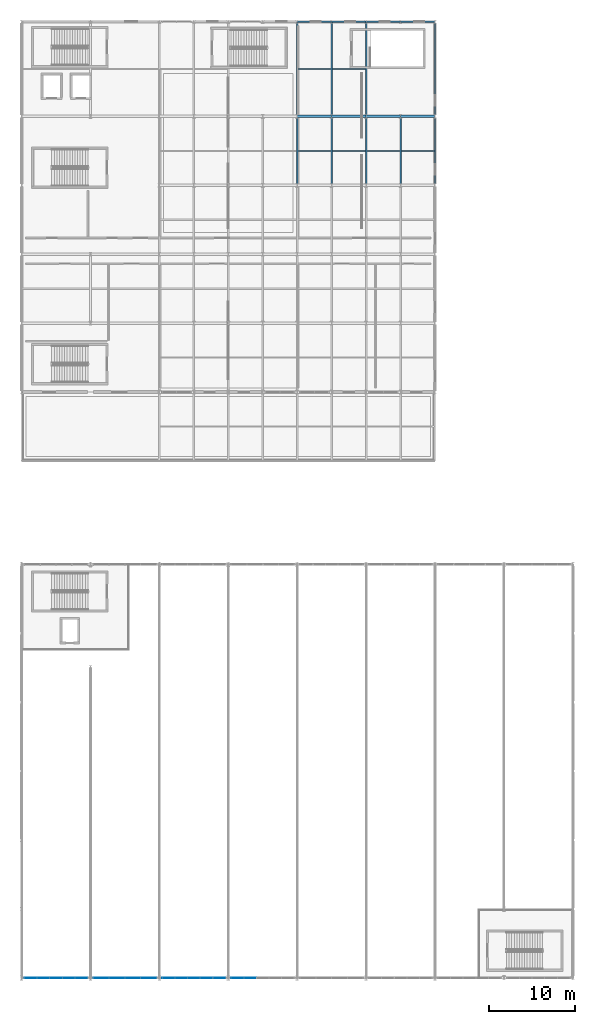
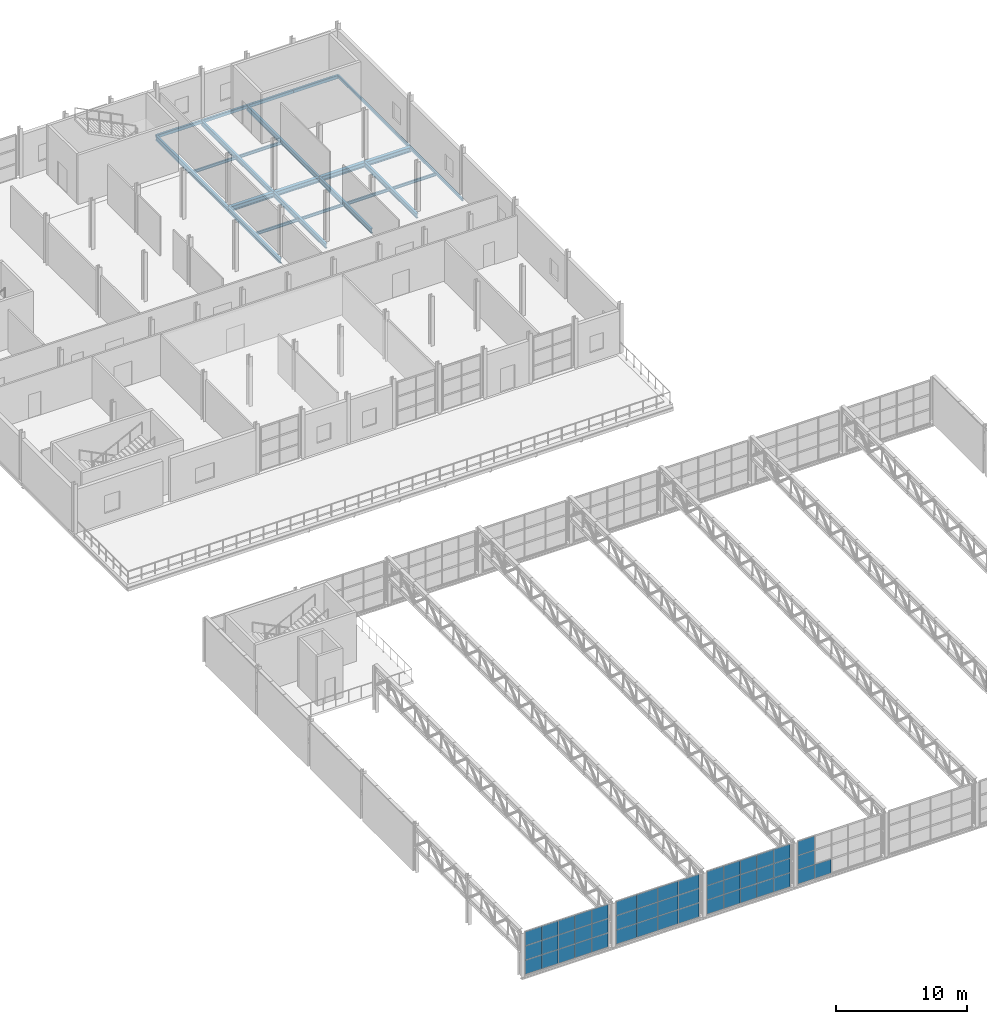
# One storey, part 53 of 67: 46 plates, 23 beams, 4 elements without a shape of their own.
"""IFC4 building model written with IfcOpenShell, lengths in metres."""

from ifc_helpers import new_model, si_unit, derived_unit, direction, frame, origin, origin_2d, place, context, subcontext, project, spatial, rectangle, hollow_rectangle, i_section, extrude, material, layer, layer_set, material_profile, profile_set, type_object, element, aggregate, save


model = new_model("IFC4")

# Units and contexts
model_context = context("Model", 3, precision=1e-05, world=origin(), true_north=direction((0.0, 1.0)))
body_context = subcontext(model_context, "Body", "Model", "MODEL_VIEW")
ifc_project = project(units=[si_unit("LENGTHUNIT", "METRE"), si_unit("AREAUNIT", "SQUARE_METRE"), si_unit("VOLUMEUNIT", "CUBIC_METRE"), si_unit("PLANEANGLEUNIT", "RADIAN"), si_unit("MASSUNIT", "GRAM", prefix="KILO"), derived_unit("THERMALTRANSMITTANCEUNIT", [(si_unit("POWERUNIT", "WATT"), 1), (si_unit("LENGTHUNIT", "METRE"), -2), (si_unit("THERMODYNAMICTEMPERATUREUNIT", "KELVIN"), -1)])], contexts=[model_context])

# Site, building, storey
site_placement = place(None, origin())
site = spatial("IfcSite", under=ifc_project, at=site_placement, CompositionType="ELEMENT")
building_placement = place(site_placement, origin())
building = spatial("IfcBuilding", under=site, at=building_placement, Name="Keldorne Ridge Multi-Sports Centre", CompositionType="ELEMENT")
storey_placement = place(building_placement, frame((0.0, 0.0, 14.0)))
storey = spatial("IfcBuildingStorey", under=building, at=storey_placement, Name="L03", CompositionType="ELEMENT", Elevation=14.0)

# Beams
ifc_material_1 = material(Name="Steel S355", Category="steel")
ifc_material_profile_1 = material_profile(ifc_material_1, i_section(OverallWidth=0.18994140625, OverallDepth=0.449951171875, WebThickness=0.009521484375, FlangeThickness=0.0146484375, FilletRadius=0.02099609375, at=origin_2d()), Name="IPE 450")
ifc_profile_set_1 = profile_set([ifc_material_profile_1], Name="Steel S355")
beam_type_1 = type_object("IfcBeamType", Name="BM-B-03", PredefinedType="BEAM", material=ifc_profile_set_1)
beam_1_placement = place(storey_placement, frame((136.0, 98.0, -0.52490234375), z_axis=(0.0, 1.0, 0.0), x_axis=(-1.0, 0.0, 0.0)))
element("IfcBeam", 1, at=beam_1_placement, inside=storey, type_object=beam_type_1, Name="L03 primary girder 136.5", PredefinedType="BEAM", context=body_context, shape_type="SweptSolid", body=[
    extrude(i_section(OverallWidth=0.18994140625, OverallDepth=0.449951171875, WebThickness=0.009521484375, FlangeThickness=0.0146484375, FilletRadius=0.02099609375, at=origin_2d()), origin(), (0.0, 0.0, 1.0), 8.0),
])
beam_2_placement = place(storey_placement, frame((136.0, 106.0, -0.52490234375), z_axis=(0.0, 1.0, 0.0), x_axis=(-1.0, 0.0, 0.0)))
element("IfcBeam", 2, at=beam_2_placement, inside=storey, type_object=beam_type_1, Name="L03 primary girder 136.6", PredefinedType="BEAM", context=body_context, shape_type="SweptSolid", body=[
    extrude(i_section(OverallWidth=0.18994140625, OverallDepth=0.449951171875, WebThickness=0.009521484375, FlangeThickness=0.0146484375, FilletRadius=0.02099609375, at=origin_2d()), origin(), (0.0, 0.0, 1.0), 11.0),
])
beam_3_placement = place(storey_placement, frame((140.0, 98.0, -0.52490234375), z_axis=(0.0, 1.0, 0.0), x_axis=(-1.0, 0.0, 0.0)))
element("IfcBeam", 3, at=beam_3_placement, inside=storey, type_object=beam_type_1, Name="L03 primary girder 140.5", PredefinedType="BEAM", context=body_context, shape_type="SweptSolid", body=[
    extrude(i_section(OverallWidth=0.18994140625, OverallDepth=0.449951171875, WebThickness=0.009521484375, FlangeThickness=0.0146484375, FilletRadius=0.02099609375, at=origin_2d()), origin(), (0.0, 0.0, 1.0), 8.0),
])
beam_4_placement = place(storey_placement, frame((140.0, 106.0, -0.52490234375), z_axis=(0.0, 1.0, 0.0), x_axis=(-1.0, 0.0, 0.0)))
element("IfcBeam", 4, at=beam_4_placement, inside=storey, type_object=beam_type_1, Name="L03 primary girder 140.6", PredefinedType="BEAM", context=body_context, shape_type="SweptSolid", body=[
    extrude(i_section(OverallWidth=0.18994140625, OverallDepth=0.449951171875, WebThickness=0.009521484375, FlangeThickness=0.0146484375, FilletRadius=0.02099609375, at=origin_2d()), origin(), (0.0, 0.0, 1.0), 11.0),
])
beam_5_placement = place(storey_placement, frame((144.0, 98.0, -0.52490234375), z_axis=(0.0, 1.0, 0.0), x_axis=(-1.0, 0.0, 0.0)))
element("IfcBeam", 5, at=beam_5_placement, inside=storey, type_object=beam_type_1, Name="L03 primary girder 144.5", PredefinedType="BEAM", context=body_context, shape_type="SweptSolid", body=[
    extrude(i_section(OverallWidth=0.18994140625, OverallDepth=0.449951171875, WebThickness=0.009521484375, FlangeThickness=0.0146484375, FilletRadius=0.02099609375, at=origin_2d()), origin(), (0.0, 0.0, 1.0), 8.0),
])
beam_6_placement = place(storey_placement, frame((144.0, 106.0, -0.52490234375), z_axis=(0.0, 1.0, 0.0), x_axis=(-1.0, 0.0, 0.0)))
element("IfcBeam", 6, at=beam_6_placement, inside=storey, type_object=beam_type_1, Name="L03 primary girder 144.6", PredefinedType="BEAM", context=body_context, shape_type="SweptSolid", body=[
    extrude(i_section(OverallWidth=0.18994140625, OverallDepth=0.449951171875, WebThickness=0.009521484375, FlangeThickness=0.0146484375, FilletRadius=0.02099609375, at=origin_2d()), origin(), (0.0, 0.0, 1.0), 11.0),
])
beam_7_placement = place(storey_placement, frame((148.0, 98.0, -0.52490234375), z_axis=(0.0, 1.0, 0.0), x_axis=(-1.0, 0.0, 0.0)))
element("IfcBeam", 7, at=beam_7_placement, inside=storey, type_object=beam_type_1, Name="L03 primary girder 148.5", PredefinedType="BEAM", context=body_context, shape_type="SweptSolid", body=[
    extrude(i_section(OverallWidth=0.18994140625, OverallDepth=0.449951171875, WebThickness=0.009521484375, FlangeThickness=0.0146484375, FilletRadius=0.02099609375, at=origin_2d()), origin(), (0.0, 0.0, 1.0), 8.0),
])
ifc_material_profile_2 = material_profile(ifc_material_1, i_section(OverallWidth=0.300048828125, OverallDepth=0.43994140625, WebThickness=0.011474609375, FlangeThickness=0.02099609375, FilletRadius=0.027099609375, at=origin_2d()), Name="HEA 450")
ifc_profile_set_2 = profile_set([ifc_material_profile_2], Name="Steel S355")
beam_type_2 = type_object("IfcBeamType", Name="BM-B-09", PredefinedType="BEAM", material=ifc_profile_set_2)
for number, where, z_axis, x_axis, name in (
    (8, (136.0, 106.0, -0.52001953125), (1.0, 0.0, 0.0), (0.0, 1.0, 0.0), "L03 primary beam 7.106"),
    (9, (140.0, 106.0, -0.52001953125), (1.0, 0.0, 0.0), (0.0, 1.0, 0.0), "L03 primary beam 8.106"),
    (10, (144.0, 106.0, -0.52001953125), (1.0, 0.0, 0.0), (0.0, 1.0, 0.0), "L03 primary beam 9.106"),
    (11, (148.0, 106.0, -0.52001953125), (1.0, 0.0, 0.0), (0.0, 1.0, 0.0), "L03 primary beam 10.106"),
):
    element("IfcBeam", number, at=place(storey_placement, frame(where, z_axis=z_axis, x_axis=x_axis)), inside=storey, type_object=beam_type_2, Name=name, PredefinedType="BEAM", context=body_context, shape_type="SweptSolid", body=[
        extrude(i_section(OverallWidth=0.300048828125, OverallDepth=0.43994140625, WebThickness=0.011474609375, FlangeThickness=0.02099609375, FilletRadius=0.027099609375, at=origin_2d()), origin(), (0.0, 0.0, 1.0), 4.0),
    ])
ifc_material_profile_3 = material_profile(ifc_material_1, i_section(OverallWidth=0.135009765625, OverallDepth=0.27001953125, WebThickness=0.006591796875, FlangeThickness=0.01025390625, FilletRadius=0.014892578125, at=origin_2d()), Name="IPE 270")
ifc_profile_set_3 = profile_set([ifc_material_profile_3], Name="Steel S355")
beam_type_3 = type_object("IfcBeamType", Name="BM-J-03", PredefinedType="JOIST", material=ifc_profile_set_3)
for number, where, z_axis, x_axis, name in (
    (12, (136.094970703125, 102.0, -0.43505859375), (1.0, 0.0, 0.0), (0.0, 1.0, 0.0), "L03 secondary joist 7.5"),
    (13, (136.094970703125, 111.5, -0.43505859375), (1.0, 0.0, 0.0), (0.0, 1.0, 0.0), "L03 secondary joist 7.6"),
    (14, (140.094970703125, 102.0, -0.43505859375), (1.0, 0.0, 0.0), (0.0, 1.0, 0.0), "L03 secondary joist 8.5"),
    (15, (140.094970703125, 111.5, -0.43505859375), (1.0, 0.0, 0.0), (0.0, 1.0, 0.0), "L03 secondary joist 8.6"),
    (16, (144.094970703125, 102.0, -0.43505859375), (1.0, 0.0, 0.0), (0.0, 1.0, 0.0), "L03 secondary joist 9.5"),
):
    element("IfcBeam", number, at=place(storey_placement, frame(where, z_axis=z_axis, x_axis=x_axis)), inside=storey, type_object=beam_type_3, Name=name, PredefinedType="JOIST", context=body_context, shape_type="SweptSolid", body=[
        extrude(i_section(OverallWidth=0.135009765625, OverallDepth=0.27001953125, WebThickness=0.006591796875, FlangeThickness=0.01025390625, FilletRadius=0.014892578125, at=origin_2d()), origin(), (0.0, 0.0, 1.0), 3.81005859375),
    ])
beam_8_placement = place(storey_placement, frame((148.094970703125, 102.0, -0.43505859375), z_axis=(1.0, 0.0, 0.0), x_axis=(0.0, 1.0, 0.0)))
element("IfcBeam", 17, at=beam_8_placement, inside=storey, type_object=beam_type_3, Name="L03 secondary joist 10.5", PredefinedType="JOIST", context=body_context, shape_type="SweptSolid", body=[
    extrude(i_section(OverallWidth=0.135009765625, OverallDepth=0.27001953125, WebThickness=0.006591796875, FlangeThickness=0.01025390625, FilletRadius=0.014892578125, at=origin_2d()), origin(), (0.0, 0.0, 1.0), 3.830078125),
])
ifc_material_profile_4 = material_profile(ifc_material_1, hollow_rectangle(XDim=0.199951171875, YDim=0.300048828125, WallThickness=0.012451171875, InnerFilletRadius=0.012451171875, OuterFilletRadius=0.02490234375, at=origin_2d()), Name="RHS 300x200x12.5")
ifc_profile_set_4 = profile_set([ifc_material_profile_4], Name="Steel S355")
beam_type_4 = type_object("IfcBeamType", Name="BM-SP-01", PredefinedType="SPANDREL", material=ifc_profile_set_4)
for number, where, z_axis, x_axis, name in (
    (18, (136.0, 117.0, -0.449951171875), (1.0, 0.0, 0.0), (0.0, 1.0, 0.0), "L03 primary beam 7.117"),
    (19, (140.0, 117.0, -0.449951171875), (1.0, 0.0, 0.0), (0.0, 1.0, 0.0), "L03 primary beam 8.117"),
    (20, (144.0, 117.0, -0.449951171875), (1.0, 0.0, 0.0), (0.0, 1.0, 0.0), "L03 primary beam 9.117"),
    (21, (148.0, 117.0, -0.449951171875), (1.0, 0.0, 0.0), (0.0, 1.0, 0.0), "L03 primary beam 10.117"),
):
    element("IfcBeam", number, at=place(storey_placement, frame(where, z_axis=z_axis, x_axis=x_axis)), inside=storey, type_object=beam_type_4, Name=name, PredefinedType="SPANDREL", context=body_context, shape_type="SweptSolid", body=[
        extrude(hollow_rectangle(XDim=0.199951171875, YDim=0.300048828125, WallThickness=0.012451171875, InnerFilletRadius=0.012451171875, OuterFilletRadius=0.02490234375, at=origin_2d()), origin(), (0.0, 0.0, 1.0), 4.0),
    ])
ifc_material_profile_5 = material_profile(ifc_material_1, hollow_rectangle(XDim=0.14990234375, YDim=0.25, WallThickness=0.010009765625, InnerFilletRadius=0.010009765625, OuterFilletRadius=0.02001953125, at=origin_2d()), Name="RHS 250x150x10")
ifc_profile_set_5 = profile_set([ifc_material_profile_5], Name="Steel S355")
beam_type_5 = type_object("IfcBeamType", Name="BM-SP-02", PredefinedType="SPANDREL", material=ifc_profile_set_5)
beam_9_placement = place(storey_placement, frame((152.0, 98.0, -0.425048828125), z_axis=(0.0, 1.0, 0.0), x_axis=(-1.0, 0.0, 0.0)))
element("IfcBeam", 22, at=beam_9_placement, inside=storey, type_object=beam_type_5, Name="L03 primary girder 152.5", PredefinedType="SPANDREL", context=body_context, shape_type="SweptSolid", body=[
    extrude(hollow_rectangle(XDim=0.14990234375, YDim=0.25, WallThickness=0.010009765625, InnerFilletRadius=0.010009765625, OuterFilletRadius=0.02001953125, at=origin_2d()), origin(), (0.0, 0.0, 1.0), 8.0),
])
beam_10_placement = place(storey_placement, frame((152.0, 106.0, -0.425048828125), z_axis=(0.0, 1.0, 0.0), x_axis=(-1.0, 0.0, 0.0)))
element("IfcBeam", 23, at=beam_10_placement, inside=storey, type_object=beam_type_5, Name="L03 primary girder 152.6", PredefinedType="SPANDREL", context=body_context, shape_type="SweptSolid", body=[
    extrude(hollow_rectangle(XDim=0.14990234375, YDim=0.25, WallThickness=0.010009765625, InnerFilletRadius=0.010009765625, OuterFilletRadius=0.02001953125, at=origin_2d()), origin(), (0.0, 0.0, 1.0), 11.0),
])

# Curtain wall, plates
ifc_material_2 = material(Name="Anodized aluminium", Category="aluminium")
curtain_wall_type_1 = type_object("IfcCurtainWallType", Name="CW-CW-01", PredefinedType="NOTDEFINED", material=ifc_material_2)
curtain_wall_1_placement = place(storey_placement, origin())
curtain_wall_1 = element("IfcCurtainWall", 24, at=curtain_wall_1_placement, inside=storey, type_object=curtain_wall_type_1, Name="Upper Courts high clerestory 089", PredefinedType="NOTDEFINED")
ifc_material_3 = material(Name="Double low-e insulated glazing", Category="glass")
ifc_layer = layer(ifc_material_3, 0.035888671875)
ifc_layer_set = layer_set([ifc_layer])
plate_type = type_object("IfcPlateType", Name="PLT-GL-01", PredefinedType="CURTAIN_PANEL", material=ifc_layer_set)
plate_1_placement = place(storey_placement, frame((105.072021484375, 6.0, 0.02001953125), z_axis=(0.0, 0.0, 1.0), x_axis=(1.0, 0.0, 0.0)))
plate_1 = element("IfcPlate", 25, at=plate_1_placement, type_object=plate_type, Name="CW-089 glazed panel 1.1", PredefinedType="CURTAIN_PANEL", context=body_context, shape_type="SweptSolid", body=[
    extrude(rectangle(XDim=1.424072265625, YDim=0.035888671875, at=origin_2d()), origin(), (0.0, 0.0, 1.0), 1.293212890625),
])
plate_2_placement = place(storey_placement, frame((105.072021484375, 6.0, 1.353515625), z_axis=(0.0, 0.0, 1.0), x_axis=(1.0, 0.0, 0.0)))
plate_2 = element("IfcPlate", 26, at=plate_2_placement, type_object=plate_type, Name="CW-089 glazed panel 1.2", PredefinedType="CURTAIN_PANEL", context=body_context, shape_type="SweptSolid", body=[
    extrude(rectangle(XDim=1.424072265625, YDim=0.035888671875, at=origin_2d()), origin(), (0.0, 0.0, 1.0), 1.293212890625),
])
plate_3_placement = place(storey_placement, frame((105.072021484375, 6.0, 2.6865234375), z_axis=(0.0, 0.0, 1.0), x_axis=(1.0, 0.0, 0.0)))
plate_3 = element("IfcPlate", 27, at=plate_3_placement, type_object=plate_type, Name="CW-089 glazed panel 1.3", PredefinedType="CURTAIN_PANEL", context=body_context, shape_type="SweptSolid", body=[
    extrude(rectangle(XDim=1.424072265625, YDim=0.035888671875, at=origin_2d()), origin(), (0.0, 0.0, 1.0), 1.293212890625),
])
plate_4_placement = place(storey_placement, frame((106.535888671875, 6.0, 0.02001953125), z_axis=(0.0, 0.0, 1.0), x_axis=(1.0, 0.0, 0.0)))
plate_4 = element("IfcPlate", 28, at=plate_4_placement, type_object=plate_type, Name="CW-089 glazed panel 2.1", PredefinedType="CURTAIN_PANEL", context=body_context, shape_type="SweptSolid", body=[
    extrude(rectangle(XDim=1.424072265625, YDim=0.035888671875, at=origin_2d()), origin(), (0.0, 0.0, 1.0), 1.293212890625),
])
plate_5_placement = place(storey_placement, frame((106.535888671875, 6.0, 1.353515625), z_axis=(0.0, 0.0, 1.0), x_axis=(1.0, 0.0, 0.0)))
plate_5 = element("IfcPlate", 29, at=plate_5_placement, type_object=plate_type, Name="CW-089 glazed panel 2.2", PredefinedType="CURTAIN_PANEL", context=body_context, shape_type="SweptSolid", body=[
    extrude(rectangle(XDim=1.424072265625, YDim=0.035888671875, at=origin_2d()), origin(), (0.0, 0.0, 1.0), 1.293212890625),
])
plate_6_placement = place(storey_placement, frame((106.535888671875, 6.0, 2.6865234375), z_axis=(0.0, 0.0, 1.0), x_axis=(1.0, 0.0, 0.0)))
plate_6 = element("IfcPlate", 30, at=plate_6_placement, type_object=plate_type, Name="CW-089 glazed panel 2.3", PredefinedType="CURTAIN_PANEL", context=body_context, shape_type="SweptSolid", body=[
    extrude(rectangle(XDim=1.424072265625, YDim=0.035888671875, at=origin_2d()), origin(), (0.0, 0.0, 1.0), 1.293212890625),
])
plate_7_placement = place(storey_placement, frame((108.0, 6.0, 0.02001953125), z_axis=(0.0, 0.0, 1.0), x_axis=(1.0, 0.0, 0.0)))
plate_7 = element("IfcPlate", 31, at=plate_7_placement, type_object=plate_type, Name="CW-089 glazed panel 3.1", PredefinedType="CURTAIN_PANEL", context=body_context, shape_type="SweptSolid", body=[
    extrude(rectangle(XDim=1.424072265625, YDim=0.035888671875, at=origin_2d()), origin(), (0.0, 0.0, 1.0), 1.293212890625),
])
plate_8_placement = place(storey_placement, frame((108.0, 6.0, 1.353515625), z_axis=(0.0, 0.0, 1.0), x_axis=(1.0, 0.0, 0.0)))
plate_8 = element("IfcPlate", 32, at=plate_8_placement, type_object=plate_type, Name="CW-089 glazed panel 3.2", PredefinedType="CURTAIN_PANEL", context=body_context, shape_type="SweptSolid", body=[
    extrude(rectangle(XDim=1.424072265625, YDim=0.035888671875, at=origin_2d()), origin(), (0.0, 0.0, 1.0), 1.293212890625),
])
plate_9_placement = place(storey_placement, frame((108.0, 6.0, 2.6865234375), z_axis=(0.0, 0.0, 1.0), x_axis=(1.0, 0.0, 0.0)))
plate_9 = element("IfcPlate", 33, at=plate_9_placement, type_object=plate_type, Name="CW-089 glazed panel 3.3", PredefinedType="CURTAIN_PANEL", context=body_context, shape_type="SweptSolid", body=[
    extrude(rectangle(XDim=1.424072265625, YDim=0.035888671875, at=origin_2d()), origin(), (0.0, 0.0, 1.0), 1.293212890625),
])
plate_10_placement = place(storey_placement, frame((109.464111328125, 6.0, 0.02001953125), z_axis=(0.0, 0.0, 1.0), x_axis=(1.0, 0.0, 0.0)))
plate_10 = element("IfcPlate", 34, at=plate_10_placement, type_object=plate_type, Name="CW-089 glazed panel 4.1", PredefinedType="CURTAIN_PANEL", context=body_context, shape_type="SweptSolid", body=[
    extrude(rectangle(XDim=1.424072265625, YDim=0.035888671875, at=origin_2d()), origin(), (0.0, 0.0, 1.0), 1.293212890625),
])
plate_11_placement = place(storey_placement, frame((109.464111328125, 6.0, 1.353515625), z_axis=(0.0, 0.0, 1.0), x_axis=(1.0, 0.0, 0.0)))
plate_11 = element("IfcPlate", 35, at=plate_11_placement, type_object=plate_type, Name="CW-089 glazed panel 4.2", PredefinedType="CURTAIN_PANEL", context=body_context, shape_type="SweptSolid", body=[
    extrude(rectangle(XDim=1.424072265625, YDim=0.035888671875, at=origin_2d()), origin(), (0.0, 0.0, 1.0), 1.293212890625),
])
plate_12_placement = place(storey_placement, frame((109.464111328125, 6.0, 2.6865234375), z_axis=(0.0, 0.0, 1.0), x_axis=(1.0, 0.0, 0.0)))
plate_12 = element("IfcPlate", 36, at=plate_12_placement, type_object=plate_type, Name="CW-089 glazed panel 4.3", PredefinedType="CURTAIN_PANEL", context=body_context, shape_type="SweptSolid", body=[
    extrude(rectangle(XDim=1.424072265625, YDim=0.035888671875, at=origin_2d()), origin(), (0.0, 0.0, 1.0), 1.293212890625),
])
plate_13_placement = place(storey_placement, frame((110.927978515625, 6.0, 0.02001953125), z_axis=(0.0, 0.0, 1.0), x_axis=(1.0, 0.0, 0.0)))
plate_13 = element("IfcPlate", 37, at=plate_13_placement, type_object=plate_type, Name="CW-089 glazed panel 5.1", PredefinedType="CURTAIN_PANEL", context=body_context, shape_type="SweptSolid", body=[
    extrude(rectangle(XDim=1.424072265625, YDim=0.035888671875, at=origin_2d()), origin(), (0.0, 0.0, 1.0), 1.293212890625),
])
plate_14_placement = place(storey_placement, frame((110.927978515625, 6.0, 1.353515625), z_axis=(0.0, 0.0, 1.0), x_axis=(1.0, 0.0, 0.0)))
plate_14 = element("IfcPlate", 38, at=plate_14_placement, type_object=plate_type, Name="CW-089 glazed panel 5.2", PredefinedType="CURTAIN_PANEL", context=body_context, shape_type="SweptSolid", body=[
    extrude(rectangle(XDim=1.424072265625, YDim=0.035888671875, at=origin_2d()), origin(), (0.0, 0.0, 1.0), 1.293212890625),
])
plate_15_placement = place(storey_placement, frame((110.927978515625, 6.0, 2.6865234375), z_axis=(0.0, 0.0, 1.0), x_axis=(1.0, 0.0, 0.0)))
plate_15 = element("IfcPlate", 39, at=plate_15_placement, type_object=plate_type, Name="CW-089 glazed panel 5.3", PredefinedType="CURTAIN_PANEL", context=body_context, shape_type="SweptSolid", body=[
    extrude(rectangle(XDim=1.424072265625, YDim=0.035888671875, at=origin_2d()), origin(), (0.0, 0.0, 1.0), 1.293212890625),
])
aggregate(curtain_wall_1, [plate_1, plate_2, plate_3, plate_4, plate_5, plate_6, plate_7, plate_8, plate_9, plate_10, plate_11, plate_12, plate_13, plate_14, plate_15])

curtain_wall_type_2 = type_object("IfcCurtainWallType", Name="CW-CW-08", PredefinedType="NOTDEFINED", material=ifc_material_2)
curtain_wall_2_placement = place(storey_placement, origin())
curtain_wall_2 = element("IfcCurtainWall", 40, at=curtain_wall_2_placement, inside=storey, type_object=curtain_wall_type_2, Name="Upper Courts high clerestory 096", PredefinedType="NOTDEFINED")
plate_16_placement = place(storey_placement, frame((113.2548828125, 6.0, 0.02001953125), z_axis=(0.0, 0.0, 1.0), x_axis=(1.0, 0.0, 0.0)))
plate_16 = element("IfcPlate", 41, at=plate_16_placement, type_object=plate_type, Name="CW-096 glazed panel 1.1", PredefinedType="CURTAIN_PANEL", context=body_context, shape_type="SweptSolid", body=[
    extrude(rectangle(XDim=1.7900390625, YDim=0.035888671875, at=origin_2d()), origin(), (0.0, 0.0, 1.0), 1.293212890625),
])
plate_17_placement = place(storey_placement, frame((113.2548828125, 6.0, 1.353515625), z_axis=(0.0, 0.0, 1.0), x_axis=(1.0, 0.0, 0.0)))
plate_17 = element("IfcPlate", 42, at=plate_17_placement, type_object=plate_type, Name="CW-096 glazed panel 1.2", PredefinedType="CURTAIN_PANEL", context=body_context, shape_type="SweptSolid", body=[
    extrude(rectangle(XDim=1.7900390625, YDim=0.035888671875, at=origin_2d()), origin(), (0.0, 0.0, 1.0), 1.293212890625),
])
plate_18_placement = place(storey_placement, frame((113.2548828125, 6.0, 2.6865234375), z_axis=(0.0, 0.0, 1.0), x_axis=(1.0, 0.0, 0.0)))
plate_18 = element("IfcPlate", 43, at=plate_18_placement, type_object=plate_type, Name="CW-096 glazed panel 1.3", PredefinedType="CURTAIN_PANEL", context=body_context, shape_type="SweptSolid", body=[
    extrude(rectangle(XDim=1.7900390625, YDim=0.035888671875, at=origin_2d()), origin(), (0.0, 0.0, 1.0), 1.293212890625),
])
plate_19_placement = place(storey_placement, frame((115.0849609375, 6.0, 0.02001953125), z_axis=(0.0, 0.0, 1.0), x_axis=(1.0, 0.0, 0.0)))
plate_19 = element("IfcPlate", 44, at=plate_19_placement, type_object=plate_type, Name="CW-096 glazed panel 2.1", PredefinedType="CURTAIN_PANEL", context=body_context, shape_type="SweptSolid", body=[
    extrude(rectangle(XDim=1.7900390625, YDim=0.035888671875, at=origin_2d()), origin(), (0.0, 0.0, 1.0), 1.293212890625),
])
plate_20_placement = place(storey_placement, frame((115.0849609375, 6.0, 1.353515625), z_axis=(0.0, 0.0, 1.0), x_axis=(1.0, 0.0, 0.0)))
plate_20 = element("IfcPlate", 45, at=plate_20_placement, type_object=plate_type, Name="CW-096 glazed panel 2.2", PredefinedType="CURTAIN_PANEL", context=body_context, shape_type="SweptSolid", body=[
    extrude(rectangle(XDim=1.7900390625, YDim=0.035888671875, at=origin_2d()), origin(), (0.0, 0.0, 1.0), 1.293212890625),
])
plate_21_placement = place(storey_placement, frame((115.0849609375, 6.0, 2.6865234375), z_axis=(0.0, 0.0, 1.0), x_axis=(1.0, 0.0, 0.0)))
plate_21 = element("IfcPlate", 46, at=plate_21_placement, type_object=plate_type, Name="CW-096 glazed panel 2.3", PredefinedType="CURTAIN_PANEL", context=body_context, shape_type="SweptSolid", body=[
    extrude(rectangle(XDim=1.7900390625, YDim=0.035888671875, at=origin_2d()), origin(), (0.0, 0.0, 1.0), 1.293212890625),
])
plate_22_placement = place(storey_placement, frame((116.9150390625, 6.0, 0.02001953125), z_axis=(0.0, 0.0, 1.0), x_axis=(1.0, 0.0, 0.0)))
plate_22 = element("IfcPlate", 47, at=plate_22_placement, type_object=plate_type, Name="CW-096 glazed panel 3.1", PredefinedType="CURTAIN_PANEL", context=body_context, shape_type="SweptSolid", body=[
    extrude(rectangle(XDim=1.7900390625, YDim=0.035888671875, at=origin_2d()), origin(), (0.0, 0.0, 1.0), 1.293212890625),
])
plate_23_placement = place(storey_placement, frame((116.9150390625, 6.0, 1.353515625), z_axis=(0.0, 0.0, 1.0), x_axis=(1.0, 0.0, 0.0)))
plate_23 = element("IfcPlate", 48, at=plate_23_placement, type_object=plate_type, Name="CW-096 glazed panel 3.2", PredefinedType="CURTAIN_PANEL", context=body_context, shape_type="SweptSolid", body=[
    extrude(rectangle(XDim=1.7900390625, YDim=0.035888671875, at=origin_2d()), origin(), (0.0, 0.0, 1.0), 1.293212890625),
])
plate_24_placement = place(storey_placement, frame((116.9150390625, 6.0, 2.6865234375), z_axis=(0.0, 0.0, 1.0), x_axis=(1.0, 0.0, 0.0)))
plate_24 = element("IfcPlate", 49, at=plate_24_placement, type_object=plate_type, Name="CW-096 glazed panel 3.3", PredefinedType="CURTAIN_PANEL", context=body_context, shape_type="SweptSolid", body=[
    extrude(rectangle(XDim=1.7900390625, YDim=0.035888671875, at=origin_2d()), origin(), (0.0, 0.0, 1.0), 1.293212890625),
])
plate_25_placement = place(storey_placement, frame((118.7451171875, 6.0, 0.02001953125), z_axis=(0.0, 0.0, 1.0), x_axis=(1.0, 0.0, 0.0)))
plate_25 = element("IfcPlate", 50, at=plate_25_placement, type_object=plate_type, Name="CW-096 glazed panel 4.1", PredefinedType="CURTAIN_PANEL", context=body_context, shape_type="SweptSolid", body=[
    extrude(rectangle(XDim=1.7900390625, YDim=0.035888671875, at=origin_2d()), origin(), (0.0, 0.0, 1.0), 1.293212890625),
])
plate_26_placement = place(storey_placement, frame((118.7451171875, 6.0, 1.353515625), z_axis=(0.0, 0.0, 1.0), x_axis=(1.0, 0.0, 0.0)))
plate_26 = element("IfcPlate", 51, at=plate_26_placement, type_object=plate_type, Name="CW-096 glazed panel 4.2", PredefinedType="CURTAIN_PANEL", context=body_context, shape_type="SweptSolid", body=[
    extrude(rectangle(XDim=1.7900390625, YDim=0.035888671875, at=origin_2d()), origin(), (0.0, 0.0, 1.0), 1.293212890625),
])
plate_27_placement = place(storey_placement, frame((118.7451171875, 6.0, 2.6865234375), z_axis=(0.0, 0.0, 1.0), x_axis=(1.0, 0.0, 0.0)))
plate_27 = element("IfcPlate", 52, at=plate_27_placement, type_object=plate_type, Name="CW-096 glazed panel 4.3", PredefinedType="CURTAIN_PANEL", context=body_context, shape_type="SweptSolid", body=[
    extrude(rectangle(XDim=1.7900390625, YDim=0.035888671875, at=origin_2d()), origin(), (0.0, 0.0, 1.0), 1.293212890625),
])
aggregate(curtain_wall_2, [plate_16, plate_17, plate_18, plate_19, plate_20, plate_21, plate_22, plate_23, plate_24, plate_25, plate_26, plate_27])

curtain_wall_type_3 = type_object("IfcCurtainWallType", Name="CW-CW-06", PredefinedType="NOTDEFINED", material=ifc_material_2)
curtain_wall_3_placement = place(storey_placement, origin())
curtain_wall_3 = element("IfcCurtainWall", 53, at=curtain_wall_3_placement, inside=storey, type_object=curtain_wall_type_3, Name="Upper Courts high clerestory 102", PredefinedType="NOTDEFINED")
plate_28_placement = place(storey_placement, frame((121.072021484375, 6.0, 0.02001953125), z_axis=(0.0, 0.0, 1.0), x_axis=(1.0, 0.0, 0.0)))
plate_28 = element("IfcPlate", 54, at=plate_28_placement, type_object=plate_type, Name="CW-102 glazed panel 1.1", PredefinedType="CURTAIN_PANEL", context=body_context, shape_type="SweptSolid", body=[
    extrude(rectangle(XDim=1.424072265625, YDim=0.035888671875, at=origin_2d()), origin(), (0.0, 0.0, 1.0), 1.293212890625),
])
plate_29_placement = place(storey_placement, frame((121.072021484375, 6.0, 1.353515625), z_axis=(0.0, 0.0, 1.0), x_axis=(1.0, 0.0, 0.0)))
plate_29 = element("IfcPlate", 55, at=plate_29_placement, type_object=plate_type, Name="CW-102 glazed panel 1.2", PredefinedType="CURTAIN_PANEL", context=body_context, shape_type="SweptSolid", body=[
    extrude(rectangle(XDim=1.424072265625, YDim=0.035888671875, at=origin_2d()), origin(), (0.0, 0.0, 1.0), 1.293212890625),
])
plate_30_placement = place(storey_placement, frame((121.072021484375, 6.0, 2.6865234375), z_axis=(0.0, 0.0, 1.0), x_axis=(1.0, 0.0, 0.0)))
plate_30 = element("IfcPlate", 56, at=plate_30_placement, type_object=plate_type, Name="CW-102 glazed panel 1.3", PredefinedType="CURTAIN_PANEL", context=body_context, shape_type="SweptSolid", body=[
    extrude(rectangle(XDim=1.424072265625, YDim=0.035888671875, at=origin_2d()), origin(), (0.0, 0.0, 1.0), 1.293212890625),
])
plate_31_placement = place(storey_placement, frame((122.535888671875, 6.0, 0.02001953125), z_axis=(0.0, 0.0, 1.0), x_axis=(1.0, 0.0, 0.0)))
plate_31 = element("IfcPlate", 57, at=plate_31_placement, type_object=plate_type, Name="CW-102 glazed panel 2.1", PredefinedType="CURTAIN_PANEL", context=body_context, shape_type="SweptSolid", body=[
    extrude(rectangle(XDim=1.424072265625, YDim=0.035888671875, at=origin_2d()), origin(), (0.0, 0.0, 1.0), 1.293212890625),
])
plate_32_placement = place(storey_placement, frame((122.535888671875, 6.0, 1.353515625), z_axis=(0.0, 0.0, 1.0), x_axis=(1.0, 0.0, 0.0)))
plate_32 = element("IfcPlate", 58, at=plate_32_placement, type_object=plate_type, Name="CW-102 glazed panel 2.2", PredefinedType="CURTAIN_PANEL", context=body_context, shape_type="SweptSolid", body=[
    extrude(rectangle(XDim=1.424072265625, YDim=0.035888671875, at=origin_2d()), origin(), (0.0, 0.0, 1.0), 1.293212890625),
])
plate_33_placement = place(storey_placement, frame((122.535888671875, 6.0, 2.6865234375), z_axis=(0.0, 0.0, 1.0), x_axis=(1.0, 0.0, 0.0)))
plate_33 = element("IfcPlate", 59, at=plate_33_placement, type_object=plate_type, Name="CW-102 glazed panel 2.3", PredefinedType="CURTAIN_PANEL", context=body_context, shape_type="SweptSolid", body=[
    extrude(rectangle(XDim=1.424072265625, YDim=0.035888671875, at=origin_2d()), origin(), (0.0, 0.0, 1.0), 1.293212890625),
])
plate_34_placement = place(storey_placement, frame((124.0, 6.0, 0.02001953125), z_axis=(0.0, 0.0, 1.0), x_axis=(1.0, 0.0, 0.0)))
plate_34 = element("IfcPlate", 60, at=plate_34_placement, type_object=plate_type, Name="CW-102 glazed panel 3.1", PredefinedType="CURTAIN_PANEL", context=body_context, shape_type="SweptSolid", body=[
    extrude(rectangle(XDim=1.424072265625, YDim=0.035888671875, at=origin_2d()), origin(), (0.0, 0.0, 1.0), 1.293212890625),
])
plate_35_placement = place(storey_placement, frame((124.0, 6.0, 1.353515625), z_axis=(0.0, 0.0, 1.0), x_axis=(1.0, 0.0, 0.0)))
plate_35 = element("IfcPlate", 61, at=plate_35_placement, type_object=plate_type, Name="CW-102 glazed panel 3.2", PredefinedType="CURTAIN_PANEL", context=body_context, shape_type="SweptSolid", body=[
    extrude(rectangle(XDim=1.424072265625, YDim=0.035888671875, at=origin_2d()), origin(), (0.0, 0.0, 1.0), 1.293212890625),
])
plate_36_placement = place(storey_placement, frame((124.0, 6.0, 2.6865234375), z_axis=(0.0, 0.0, 1.0), x_axis=(1.0, 0.0, 0.0)))
plate_36 = element("IfcPlate", 62, at=plate_36_placement, type_object=plate_type, Name="CW-102 glazed panel 3.3", PredefinedType="CURTAIN_PANEL", context=body_context, shape_type="SweptSolid", body=[
    extrude(rectangle(XDim=1.424072265625, YDim=0.035888671875, at=origin_2d()), origin(), (0.0, 0.0, 1.0), 1.293212890625),
])
plate_37_placement = place(storey_placement, frame((125.464111328125, 6.0, 0.02001953125), z_axis=(0.0, 0.0, 1.0), x_axis=(1.0, 0.0, 0.0)))
plate_37 = element("IfcPlate", 63, at=plate_37_placement, type_object=plate_type, Name="CW-102 glazed panel 4.1", PredefinedType="CURTAIN_PANEL", context=body_context, shape_type="SweptSolid", body=[
    extrude(rectangle(XDim=1.424072265625, YDim=0.035888671875, at=origin_2d()), origin(), (0.0, 0.0, 1.0), 1.293212890625),
])
plate_38_placement = place(storey_placement, frame((125.464111328125, 6.0, 1.353515625), z_axis=(0.0, 0.0, 1.0), x_axis=(1.0, 0.0, 0.0)))
plate_38 = element("IfcPlate", 64, at=plate_38_placement, type_object=plate_type, Name="CW-102 glazed panel 4.2", PredefinedType="CURTAIN_PANEL", context=body_context, shape_type="SweptSolid", body=[
    extrude(rectangle(XDim=1.424072265625, YDim=0.035888671875, at=origin_2d()), origin(), (0.0, 0.0, 1.0), 1.293212890625),
])
plate_39_placement = place(storey_placement, frame((125.464111328125, 6.0, 2.6865234375), z_axis=(0.0, 0.0, 1.0), x_axis=(1.0, 0.0, 0.0)))
plate_39 = element("IfcPlate", 65, at=plate_39_placement, type_object=plate_type, Name="CW-102 glazed panel 4.3", PredefinedType="CURTAIN_PANEL", context=body_context, shape_type="SweptSolid", body=[
    extrude(rectangle(XDim=1.424072265625, YDim=0.035888671875, at=origin_2d()), origin(), (0.0, 0.0, 1.0), 1.293212890625),
])
plate_40_placement = place(storey_placement, frame((126.927978515625, 6.0, 0.02001953125), z_axis=(0.0, 0.0, 1.0), x_axis=(1.0, 0.0, 0.0)))
plate_40 = element("IfcPlate", 66, at=plate_40_placement, type_object=plate_type, Name="CW-102 glazed panel 5.1", PredefinedType="CURTAIN_PANEL", context=body_context, shape_type="SweptSolid", body=[
    extrude(rectangle(XDim=1.424072265625, YDim=0.035888671875, at=origin_2d()), origin(), (0.0, 0.0, 1.0), 1.293212890625),
])
plate_41_placement = place(storey_placement, frame((126.927978515625, 6.0, 1.353515625), z_axis=(0.0, 0.0, 1.0), x_axis=(1.0, 0.0, 0.0)))
plate_41 = element("IfcPlate", 67, at=plate_41_placement, type_object=plate_type, Name="CW-102 glazed panel 5.2", PredefinedType="CURTAIN_PANEL", context=body_context, shape_type="SweptSolid", body=[
    extrude(rectangle(XDim=1.424072265625, YDim=0.035888671875, at=origin_2d()), origin(), (0.0, 0.0, 1.0), 1.293212890625),
])
plate_42_placement = place(storey_placement, frame((126.927978515625, 6.0, 2.6865234375), z_axis=(0.0, 0.0, 1.0), x_axis=(1.0, 0.0, 0.0)))
plate_42 = element("IfcPlate", 68, at=plate_42_placement, type_object=plate_type, Name="CW-102 glazed panel 5.3", PredefinedType="CURTAIN_PANEL", context=body_context, shape_type="SweptSolid", body=[
    extrude(rectangle(XDim=1.424072265625, YDim=0.035888671875, at=origin_2d()), origin(), (0.0, 0.0, 1.0), 1.293212890625),
])
aggregate(curtain_wall_3, [plate_28, plate_29, plate_30, plate_31, plate_32, plate_33, plate_34, plate_35, plate_36, plate_37, plate_38, plate_39, plate_40, plate_41, plate_42])

curtain_wall_type_4 = type_object("IfcCurtainWallType", Name="CW-CW-04", PredefinedType="NOTDEFINED", material=ifc_material_2)
curtain_wall_4_placement = place(storey_placement, origin())
curtain_wall_4 = element("IfcCurtainWall", 69, at=curtain_wall_4_placement, inside=storey, type_object=curtain_wall_type_4, Name="Upper Courts high clerestory 108", PredefinedType="NOTDEFINED")
plate_43_placement = place(storey_placement, frame((129.072021484375, 6.0, 0.02001953125), z_axis=(0.0, 0.0, 1.0), x_axis=(1.0, 0.0, 0.0)))
plate_43 = element("IfcPlate", 70, at=plate_43_placement, type_object=plate_type, Name="CW-108 glazed panel 1.1", PredefinedType="CURTAIN_PANEL", context=body_context, shape_type="SweptSolid", body=[
    extrude(rectangle(XDim=1.424072265625, YDim=0.035888671875, at=origin_2d()), origin(), (0.0, 0.0, 1.0), 1.293212890625),
])
plate_44_placement = place(storey_placement, frame((129.072021484375, 6.0, 1.353515625), z_axis=(0.0, 0.0, 1.0), x_axis=(1.0, 0.0, 0.0)))
plate_44 = element("IfcPlate", 71, at=plate_44_placement, type_object=plate_type, Name="CW-108 glazed panel 1.2", PredefinedType="CURTAIN_PANEL", context=body_context, shape_type="SweptSolid", body=[
    extrude(rectangle(XDim=1.424072265625, YDim=0.035888671875, at=origin_2d()), origin(), (0.0, 0.0, 1.0), 1.293212890625),
])
plate_45_placement = place(storey_placement, frame((129.072021484375, 6.0, 2.6865234375), z_axis=(0.0, 0.0, 1.0), x_axis=(1.0, 0.0, 0.0)))
plate_45 = element("IfcPlate", 72, at=plate_45_placement, type_object=plate_type, Name="CW-108 glazed panel 1.3", PredefinedType="CURTAIN_PANEL", context=body_context, shape_type="SweptSolid", body=[
    extrude(rectangle(XDim=1.424072265625, YDim=0.035888671875, at=origin_2d()), origin(), (0.0, 0.0, 1.0), 1.293212890625),
])
plate_46_placement = place(storey_placement, frame((130.535888671875, 6.0, 0.02001953125), z_axis=(0.0, 0.0, 1.0), x_axis=(1.0, 0.0, 0.0)))
plate_46 = element("IfcPlate", 73, at=plate_46_placement, type_object=plate_type, Name="CW-108 glazed panel 2.1", PredefinedType="CURTAIN_PANEL", context=body_context, shape_type="SweptSolid", body=[
    extrude(rectangle(XDim=1.424072265625, YDim=0.035888671875, at=origin_2d()), origin(), (0.0, 0.0, 1.0), 1.293212890625),
])
aggregate(curtain_wall_4, [plate_43, plate_44, plate_45, plate_46])

save(model, "model.ifc")
